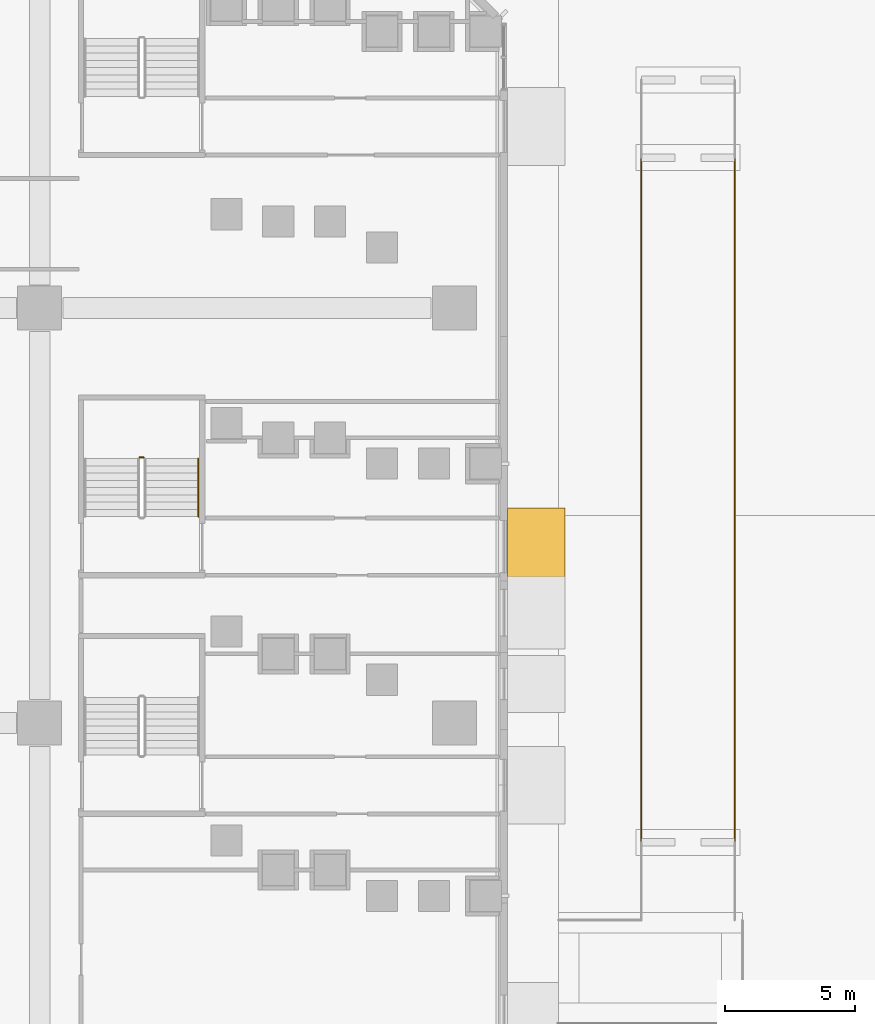
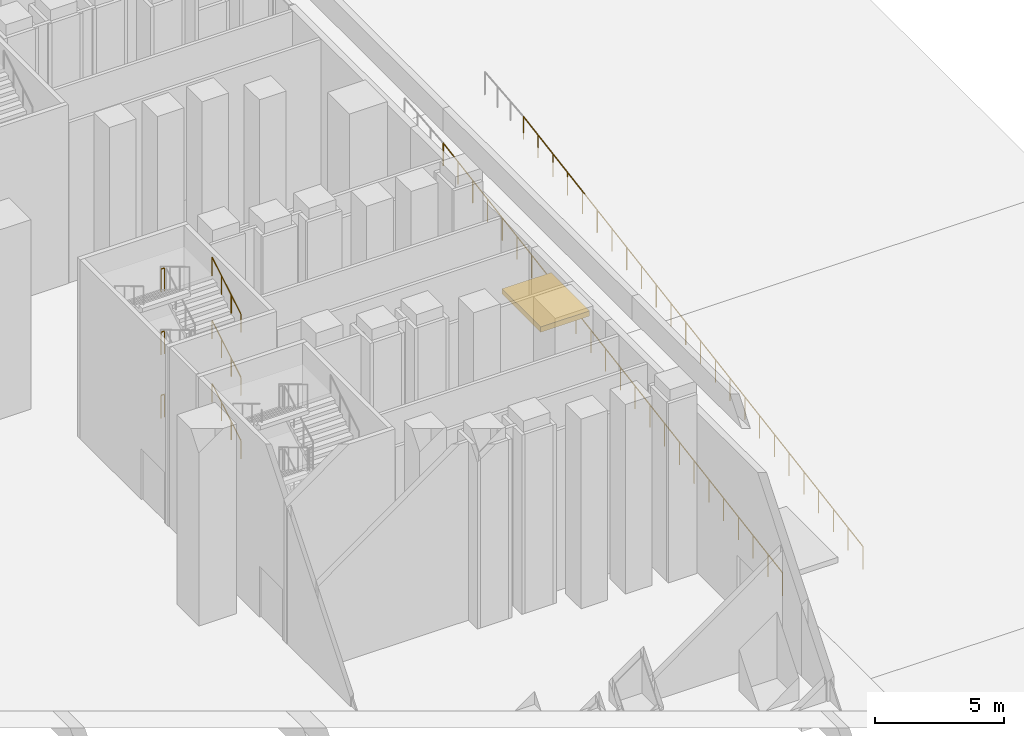
# One storey, part 49 of 51: 8 railings, 1 shading device.
"""IFC4 building model written with IfcOpenShell, lengths in metres."""

from ifc_helpers import new_model, si_unit, direction, frame, origin, origin_2d, place, context, subcontext, project, spatial, rectangle, circle, extrude, material, layer, layer_set, type_object, element, save


model = new_model("IFC4")

# Units and contexts
model_context = context("Model", 3, precision=1e-05, world=origin(), true_north=direction((0.0, 1.0)))
body_context = subcontext(model_context, "Body", "Model", "MODEL_VIEW")
ifc_project = project(units=[si_unit("LENGTHUNIT", "METRE"), si_unit("AREAUNIT", "SQUARE_METRE"), si_unit("VOLUMEUNIT", "CUBIC_METRE"), si_unit("PLANEANGLEUNIT", "RADIAN"), si_unit("MASSUNIT", "GRAM", prefix="KILO")], contexts=[model_context])

# Site, building, storey
site_placement = place(None, origin())
site = spatial("IfcSite", under=ifc_project, at=site_placement, CompositionType="ELEMENT")
building_placement = place(site_placement, origin())
building = spatial("IfcBuilding", under=site, at=building_placement, Name="Calabash Gate Tower", CompositionType="ELEMENT")
storey_placement = place(building_placement, origin())
storey = spatial("IfcBuildingStorey", under=building, at=storey_placement, Name="L00", CompositionType="ELEMENT", Elevation=0.0)

# Shading device
ifc_material_1 = material(Name="Steel framed canopy with laminated glass", Category="steel")
ifc_layer = layer(ifc_material_1, 0.25)
ifc_layer_set = layer_set([ifc_layer], Name="Entrance canopy 250")
shading_device_type = type_object("IfcShadingDeviceType", Name="Entrance canopy 250", PredefinedType="AWNING", material=ifc_layer_set)
shading_device_placement = place(storey_placement, frame((51.14990234375, -1.199951171875, 3.60009765625), z_axis=(0.0, 0.0, 1.0), x_axis=(0.0, 1.0, 0.0)))
element("IfcShadingDevice", 1, at=shading_device_placement, inside=storey, type_object=shading_device_type, Name="Entrance canopy 14", PredefinedType="AWNING", context=body_context, shape_type="SweptSolid", body=[
    extrude(rectangle(XDim=3.0, YDim=2.199951171875, at=origin_2d()), origin(), (0.0, 0.0, 1.0), 0.25),
])

# Railings
ifc_material_2 = material(Name="Galvanised steel balusters", Category="steel")
railing_type_1 = type_object("IfcRailingType", Name="Ramp guard RG1100", PredefinedType="GUARDRAIL", material=ifc_material_2)
railing_1_placement = place(storey_placement, frame((55.199951171875, -12.60009765625, -4.699951171875)))
element("IfcRailing", 2, at=railing_1_placement, inside=storey, type_object=railing_type_1, Name="Entry Ramp guard", PredefinedType="GUARDRAIL", context=body_context, shape_type="SweptSolid", body=[
    extrude(circle(Radius=0.02392578125, at=origin_2d()), frame((0.0, 0.0, 1.076171875), z_axis=(0.0, 0.986394663434, 0.164394549632), x_axis=(-1.0, 0.0, 0.0)), (0.0, 0.0, 1.0), 26.764404296875),
    extrude(circle(Radius=0.02099609375, at=origin_2d()), origin(), (0.0, 0.0, 1.0), 1.052001953125),
    extrude(circle(Radius=0.02099609375, at=origin_2d()), frame((0.0, 1.14794921875, 0.19140625)), (0.0, 0.0, 1.0), 1.052001953125),
    extrude(circle(Radius=0.02099609375, at=origin_2d()), frame((0.0, 2.295654296875, 0.382568359375)), (0.0, 0.0, 1.0), 1.052001953125),
    extrude(circle(Radius=0.02099609375, at=origin_2d()), frame((0.0, 3.443603515625, 0.573974609375)), (0.0, 0.0, 1.0), 1.052001953125),
    extrude(circle(Radius=0.02099609375, at=origin_2d()), frame((0.0, 4.59130859375, 0.76513671875)), (0.0, 0.0, 1.0), 1.052001953125),
    extrude(circle(Radius=0.02099609375, at=origin_2d()), frame((0.0, 5.7392578125, 0.95654296875)), (0.0, 0.0, 1.0), 1.052001953125),
    extrude(circle(Radius=0.02099609375, at=origin_2d()), frame((0.0, 6.886962890625, 1.147705078125)), (0.0, 0.0, 1.0), 1.052001953125),
    extrude(circle(Radius=0.02099609375, at=origin_2d()), frame((0.0, 8.034912109375, 1.339111328125)), (0.0, 0.0, 1.0), 1.052001953125),
    extrude(circle(Radius=0.02099609375, at=origin_2d()), frame((0.0, 9.1826171875, 1.530517578125)), (0.0, 0.0, 1.0), 1.052001953125),
    extrude(circle(Radius=0.02099609375, at=origin_2d()), frame((0.0, 10.33056640625, 1.7216796875)), (0.0, 0.0, 1.0), 1.052001953125),
    extrude(circle(Radius=0.02099609375, at=origin_2d()), frame((0.0, 11.478271484375, 1.9130859375)), (0.0, 0.0, 1.0), 1.052001953125),
    extrude(circle(Radius=0.02099609375, at=origin_2d()), frame((0.0, 12.626220703125, 2.104248046875)), (0.0, 0.0, 1.0), 1.052001953125),
    extrude(circle(Radius=0.02099609375, at=origin_2d()), frame((0.0, 13.77392578125, 2.295654296875)), (0.0, 0.0, 1.0), 1.052001953125),
    extrude(circle(Radius=0.02099609375, at=origin_2d()), frame((0.0, 14.921875, 2.48681640625)), (0.0, 0.0, 1.0), 1.052001953125),
    extrude(circle(Radius=0.02099609375, at=origin_2d()), frame((0.0, 16.069580078125, 2.67822265625)), (0.0, 0.0, 1.0), 1.052001953125),
    extrude(circle(Radius=0.02099609375, at=origin_2d()), frame((0.0, 17.217529296875, 2.869384765625)), (0.0, 0.0, 1.0), 1.052001953125),
    extrude(circle(Radius=0.02099609375, at=origin_2d()), frame((0.0, 18.365234375, 3.060791015625)), (0.0, 0.0, 1.0), 1.052001953125),
    extrude(circle(Radius=0.02099609375, at=origin_2d()), frame((0.0, 19.51318359375, 3.252197265625)), (0.0, 0.0, 1.0), 1.052001953125),
    extrude(circle(Radius=0.02099609375, at=origin_2d()), frame((0.0, 20.660888671875, 3.443359375)), (0.0, 0.0, 1.0), 1.052001953125),
    extrude(circle(Radius=0.02099609375, at=origin_2d()), frame((0.0, 21.808837890625, 3.634765625)), (0.0, 0.0, 1.0), 1.052001953125),
    extrude(circle(Radius=0.02099609375, at=origin_2d()), frame((0.0, 22.95654296875, 3.825927734375)), (0.0, 0.0, 1.0), 1.052001953125),
    extrude(circle(Radius=0.02099609375, at=origin_2d()), frame((0.0, 24.1044921875, 4.017333984375)), (0.0, 0.0, 1.0), 1.052001953125),
    extrude(circle(Radius=0.02099609375, at=origin_2d()), frame((0.0, 25.252197265625, 4.20849609375)), (0.0, 0.0, 1.0), 1.052001953125),
    extrude(circle(Radius=0.02099609375, at=origin_2d()), frame((0.0, 26.400146484375, 4.39990234375)), (0.0, 0.0, 1.0), 1.052001953125),
])
railing_2_placement = place(storey_placement, frame((58.800048828125, -12.60009765625, -4.699951171875)))
element("IfcRailing", 3, at=railing_2_placement, inside=storey, type_object=railing_type_1, Name="Entry Ramp guard", PredefinedType="GUARDRAIL", context=body_context, shape_type="SweptSolid", body=[
    extrude(circle(Radius=0.02392578125, at=origin_2d()), frame((0.0, 0.0, 1.076171875), z_axis=(0.0, 0.986394663434, 0.164394549632), x_axis=(-1.0, 0.0, 0.0)), (0.0, 0.0, 1.0), 26.764404296875),
    extrude(circle(Radius=0.02099609375, at=origin_2d()), origin(), (0.0, 0.0, 1.0), 1.052001953125),
    extrude(circle(Radius=0.02099609375, at=origin_2d()), frame((0.0, 1.14794921875, 0.19140625)), (0.0, 0.0, 1.0), 1.052001953125),
    extrude(circle(Radius=0.02099609375, at=origin_2d()), frame((0.0, 2.295654296875, 0.382568359375)), (0.0, 0.0, 1.0), 1.052001953125),
    extrude(circle(Radius=0.02099609375, at=origin_2d()), frame((0.0, 3.443603515625, 0.573974609375)), (0.0, 0.0, 1.0), 1.052001953125),
    extrude(circle(Radius=0.02099609375, at=origin_2d()), frame((0.0, 4.59130859375, 0.76513671875)), (0.0, 0.0, 1.0), 1.052001953125),
    extrude(circle(Radius=0.02099609375, at=origin_2d()), frame((0.0, 5.7392578125, 0.95654296875)), (0.0, 0.0, 1.0), 1.052001953125),
    extrude(circle(Radius=0.02099609375, at=origin_2d()), frame((0.0, 6.886962890625, 1.147705078125)), (0.0, 0.0, 1.0), 1.052001953125),
    extrude(circle(Radius=0.02099609375, at=origin_2d()), frame((0.0, 8.034912109375, 1.339111328125)), (0.0, 0.0, 1.0), 1.052001953125),
    extrude(circle(Radius=0.02099609375, at=origin_2d()), frame((0.0, 9.1826171875, 1.530517578125)), (0.0, 0.0, 1.0), 1.052001953125),
    extrude(circle(Radius=0.02099609375, at=origin_2d()), frame((0.0, 10.33056640625, 1.7216796875)), (0.0, 0.0, 1.0), 1.052001953125),
    extrude(circle(Radius=0.02099609375, at=origin_2d()), frame((0.0, 11.478271484375, 1.9130859375)), (0.0, 0.0, 1.0), 1.052001953125),
    extrude(circle(Radius=0.02099609375, at=origin_2d()), frame((0.0, 12.626220703125, 2.104248046875)), (0.0, 0.0, 1.0), 1.052001953125),
    extrude(circle(Radius=0.02099609375, at=origin_2d()), frame((0.0, 13.77392578125, 2.295654296875)), (0.0, 0.0, 1.0), 1.052001953125),
    extrude(circle(Radius=0.02099609375, at=origin_2d()), frame((0.0, 14.921875, 2.48681640625)), (0.0, 0.0, 1.0), 1.052001953125),
    extrude(circle(Radius=0.02099609375, at=origin_2d()), frame((0.0, 16.069580078125, 2.67822265625)), (0.0, 0.0, 1.0), 1.052001953125),
    extrude(circle(Radius=0.02099609375, at=origin_2d()), frame((0.0, 17.217529296875, 2.869384765625)), (0.0, 0.0, 1.0), 1.052001953125),
    extrude(circle(Radius=0.02099609375, at=origin_2d()), frame((0.0, 18.365234375, 3.060791015625)), (0.0, 0.0, 1.0), 1.052001953125),
    extrude(circle(Radius=0.02099609375, at=origin_2d()), frame((0.0, 19.51318359375, 3.252197265625)), (0.0, 0.0, 1.0), 1.052001953125),
    extrude(circle(Radius=0.02099609375, at=origin_2d()), frame((0.0, 20.660888671875, 3.443359375)), (0.0, 0.0, 1.0), 1.052001953125),
    extrude(circle(Radius=0.02099609375, at=origin_2d()), frame((0.0, 21.808837890625, 3.634765625)), (0.0, 0.0, 1.0), 1.052001953125),
    extrude(circle(Radius=0.02099609375, at=origin_2d()), frame((0.0, 22.95654296875, 3.825927734375)), (0.0, 0.0, 1.0), 1.052001953125),
    extrude(circle(Radius=0.02099609375, at=origin_2d()), frame((0.0, 24.1044921875, 4.017333984375)), (0.0, 0.0, 1.0), 1.052001953125),
    extrude(circle(Radius=0.02099609375, at=origin_2d()), frame((0.0, 25.252197265625, 4.20849609375)), (0.0, 0.0, 1.0), 1.052001953125),
    extrude(circle(Radius=0.02099609375, at=origin_2d()), frame((0.0, 26.400146484375, 4.39990234375)), (0.0, 0.0, 1.0), 1.052001953125),
])
ifc_material_3 = material(Name="Black powder-coated steel balusters", Category="steel")
railing_type_2 = type_object("IfcRailingType", Name="Stair guard RL1100", PredefinedType="GUARDRAIL", material=ifc_material_3)
for number, where, name in (
    (4, (36.010009765625, 2.241943359375, 1.5), "L00 PS9 stair guard 2"),
    (5, (36.010009765625, 2.241943359375, 4.5), "L00 PS9 stair guard 6"),
    (6, (36.010009765625, 2.241943359375, 7.5), "L00 PS9 stair guard 10"),
):
    element("IfcRailing", number, at=place(storey_placement, frame(where)), inside=storey, type_object=railing_type_2, Name=name, PredefinedType="GUARDRAIL", context=body_context, shape_type="SweptSolid", body=[
        extrude(circle(Radius=0.02392578125, at=origin_2d()), frame((0.0, 0.0, 1.076171875), z_axis=(-1.0, 0.0, 0.0), x_axis=(0.0, -1.0, 0.0)), (0.0, 0.0, 1.0), 0.14990234375),
        extrude(circle(Radius=0.02099609375, at=origin_2d()), origin(), (0.0, 0.0, 1.0), 1.052001953125),
        extrude(circle(Radius=0.02099609375, at=origin_2d()), frame((-0.14990234375, 0.0, 0.0)), (0.0, 0.0, 1.0), 1.052001953125),
    ])
ifc_material_4 = material(Name="Black powder-coated steel tube 48 mm", Category="steel")
railing_type_3 = type_object("IfcRailingType", Name="Stair handrail RL900", PredefinedType="HANDRAIL", material=ifc_material_4)
for number, where, name in (
    (7, (38.1201171875, -0.0400390625, 0.166748046875), "L00 PS9 stair handrail 1"),
    (8, (38.1201171875, -0.0400390625, 3.166748046875), "L00 PS9 stair handrail 3"),
    (9, (38.1201171875, -0.0400390625, 6.166748046875), "L00 PS9 stair handrail 5"),
):
    element("IfcRailing", number, at=place(storey_placement, frame(where)), inside=storey, type_object=railing_type_3, Name=name, PredefinedType="HANDRAIL", context=body_context, shape_type="SweptSolid", body=[
        extrude(circle(Radius=0.02392578125, at=origin_2d()), frame((0.0, 0.0, 0.8759765625), z_axis=(0.0, 0.858493888361, 0.512823793955), x_axis=(-1.0, 0.0, 0.0)), (0.0, 0.0, 1.0), 2.599853515625),
        extrude(circle(Radius=0.02099609375, at=origin_2d()), origin(), (0.0, 0.0, 1.0), 0.851806640625),
        extrude(circle(Radius=0.02099609375, at=origin_2d()), frame((0.0, 0.743896484375, 0.4443359375)), (0.0, 0.0, 1.0), 0.851806640625),
        extrude(circle(Radius=0.02099609375, at=origin_2d()), frame((0.0, 1.488037109375, 0.888916015625)), (0.0, 0.0, 1.0), 0.851806640625),
        extrude(circle(Radius=0.02099609375, at=origin_2d()), frame((0.0, 2.23193359375, 1.333251953125)), (0.0, 0.0, 1.0), 0.851806640625),
    ])

save(model, "model.ifc")
